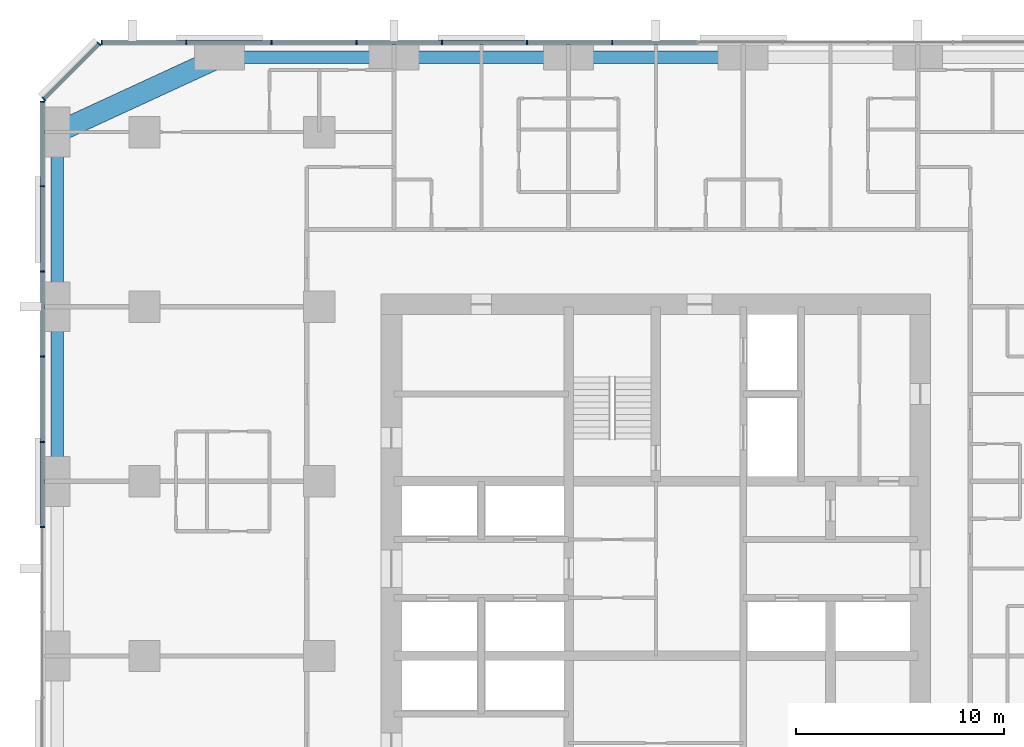
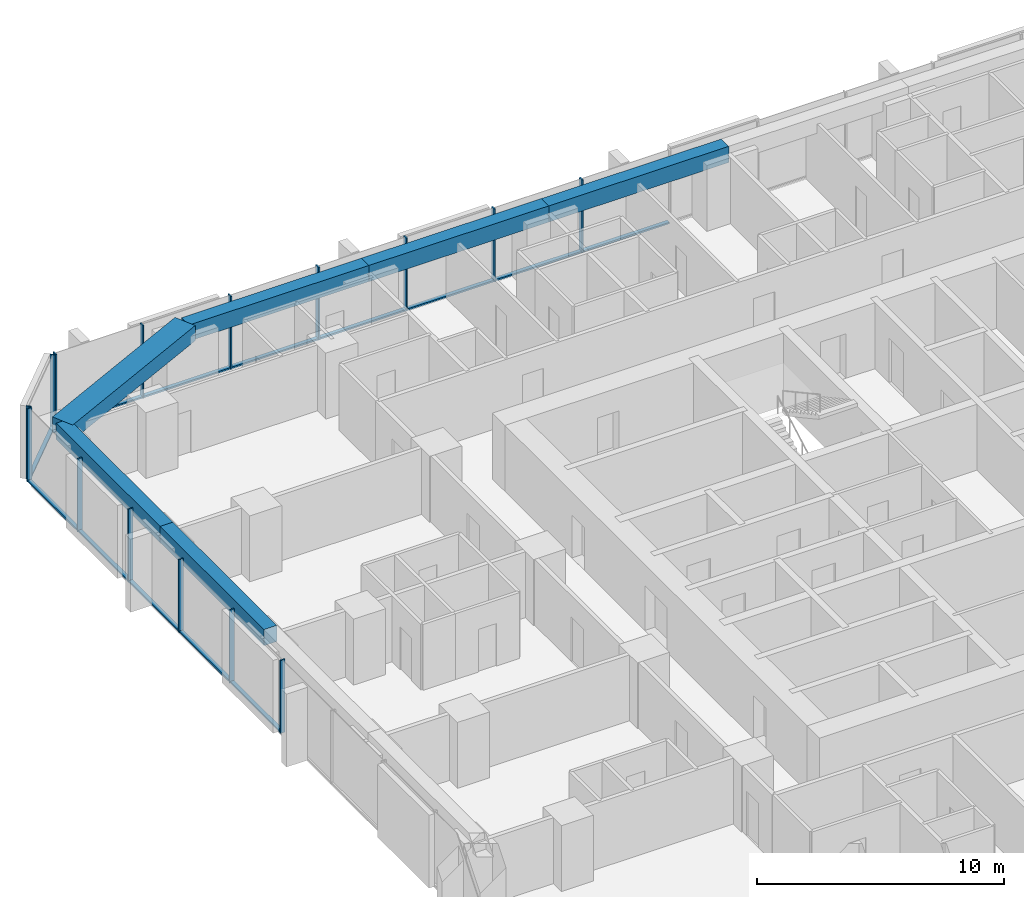
# One storey, part 5 of 14: 28 members, 6 beams, 3 elements without a shape of their own.
"""IFC4 building model written with IfcOpenShell, lengths in metres."""

from ifc_helpers import new_model, si_unit, direction, frame, origin, origin_2d, place, context, subcontext, project, spatial, rectangle, extrude, material, material_profile, profile_set, type_object, element, aggregate, save


model = new_model("IFC4")

# Units and contexts
model_context = context("Model", 3, precision=1e-05, world=origin(), true_north=direction((0.0, 1.0)))
body_context = subcontext(model_context, "Body", "Model", "MODEL_VIEW")
ifc_project = project(units=[si_unit("LENGTHUNIT", "METRE"), si_unit("AREAUNIT", "SQUARE_METRE"), si_unit("VOLUMEUNIT", "CUBIC_METRE"), si_unit("PLANEANGLEUNIT", "RADIAN"), si_unit("MASSUNIT", "GRAM", prefix="KILO")], contexts=[model_context])

# Site, building, storey
site_placement = place(None, origin())
site = spatial("IfcSite", under=ifc_project, at=site_placement, CompositionType="ELEMENT")
building_placement = place(site_placement, origin())
building = spatial("IfcBuilding", under=site, at=building_placement, Name="Dunama Terrace Hotel", CompositionType="ELEMENT")
storey_placement = place(building_placement, frame((0.0, 0.0, 126.0)))
storey = spatial("IfcBuildingStorey", under=building, at=storey_placement, Name="L32", CompositionType="ELEMENT", Elevation=126.0)

# Curtain wall, members
ifc_material_1 = material(Name="Aluminium curtain wall system", Category="aluminium")
curtain_wall_type = type_object("IfcCurtainWallType", Name="Unitised fritted glass wall CW-B", PredefinedType="NOTDEFINED", material=ifc_material_1)
curtain_wall_1_placement = place(storey_placement, origin())
curtain_wall_1 = element("IfcCurtainWall", 1, at=curtain_wall_1_placement, inside=storey, type_object=curtain_wall_type, Name="Unitised fritted glass wall CW-B L32", PredefinedType="NOTDEFINED")
ifc_material_2 = material(Name="Aluminium mullion", Category="aluminium")
ifc_material_profile_1 = material_profile(ifc_material_2, rectangle(XDim=0.06494140625, YDim=0.219970703125, at=origin_2d()), Name="CWB MULLION 65X220")
ifc_profile_set_1 = profile_set([ifc_material_profile_1], Name="Aluminium mullion")
member_type_1 = type_object("IfcMemberType", Name="CWB mullion 65x220", PredefinedType="MULLION", material=ifc_profile_set_1)
member_1_placement = place(storey_placement, frame((27.300048828125, 54.7099609375, 0.0), z_axis=(0.0, 0.0, 1.0), x_axis=(-1.0, 0.0, 0.0)))
member_1 = element("IfcMember", 2, at=member_1_placement, type_object=member_type_1, Name="CWB mullion", PredefinedType="MULLION", context=body_context, shape_type="SweptSolid", body=[
    extrude(rectangle(XDim=0.06494140625, YDim=0.219970703125, at=origin_2d()), origin(), (0.0, 0.0, 1.0), 3.60009765625),
])
member_2_placement = place(storey_placement, frame((23.199951171875, 54.7099609375, 0.0), z_axis=(0.0, 0.0, 1.0), x_axis=(-1.0, 0.0, 0.0)))
member_2 = element("IfcMember", 3, at=member_2_placement, type_object=member_type_1, Name="CWB mullion", PredefinedType="MULLION", context=body_context, shape_type="SweptSolid", body=[
    extrude(rectangle(XDim=0.06494140625, YDim=0.219970703125, at=origin_2d()), origin(), (0.0, 0.0, 1.0), 3.60009765625),
])
member_3_placement = place(storey_placement, frame((19.10009765625, 54.7099609375, 0.0), z_axis=(0.0, 0.0, 1.0), x_axis=(-1.0, 0.0, 0.0)))
member_3 = element("IfcMember", 4, at=member_3_placement, type_object=member_type_1, Name="CWB mullion", PredefinedType="MULLION", context=body_context, shape_type="SweptSolid", body=[
    extrude(rectangle(XDim=0.06494140625, YDim=0.219970703125, at=origin_2d()), origin(), (0.0, 0.0, 1.0), 3.60009765625),
])
member_4_placement = place(storey_placement, frame((15.0, 54.7099609375, 0.0), z_axis=(0.0, 0.0, 1.0), x_axis=(-1.0, 0.0, 0.0)))
member_4 = element("IfcMember", 5, at=member_4_placement, type_object=member_type_1, Name="CWB mullion", PredefinedType="MULLION", context=body_context, shape_type="SweptSolid", body=[
    extrude(rectangle(XDim=0.06494140625, YDim=0.219970703125, at=origin_2d()), origin(), (0.0, 0.0, 1.0), 3.60009765625),
])
member_5_placement = place(storey_placement, frame((10.89990234375, 54.7099609375, 0.0), z_axis=(0.0, 0.0, 1.0), x_axis=(-1.0, 0.0, 0.0)))
member_5 = element("IfcMember", 6, at=member_5_placement, type_object=member_type_1, Name="CWB mullion", PredefinedType="MULLION", context=body_context, shape_type="SweptSolid", body=[
    extrude(rectangle(XDim=0.06494140625, YDim=0.219970703125, at=origin_2d()), origin(), (0.0, 0.0, 1.0), 3.60009765625),
])
member_6_placement = place(storey_placement, frame((6.800048828125, 54.7099609375, 0.0), z_axis=(0.0, 0.0, 1.0), x_axis=(-1.0, 0.0, 0.0)))
member_6 = element("IfcMember", 7, at=member_6_placement, type_object=member_type_1, Name="CWB mullion", PredefinedType="MULLION", context=body_context, shape_type="SweptSolid", body=[
    extrude(rectangle(XDim=0.06494140625, YDim=0.219970703125, at=origin_2d()), origin(), (0.0, 0.0, 1.0), 3.60009765625),
])
member_7_placement = place(storey_placement, frame((2.73291015625, 54.7099609375, 0.0), z_axis=(0.0, 0.0, 1.0), x_axis=(-1.0, 0.0, 0.0)))
member_7 = element("IfcMember", 8, at=member_7_placement, type_object=member_type_1, Name="CWB mullion", PredefinedType="MULLION", context=body_context, shape_type="SweptSolid", body=[
    extrude(rectangle(XDim=0.06494140625, YDim=0.219970703125, at=origin_2d()), origin(), (0.0, 0.0, 1.0), 3.60009765625),
])

curtain_wall_2_placement = place(storey_placement, origin())
curtain_wall_2 = element("IfcCurtainWall", 9, at=curtain_wall_2_placement, inside=storey, type_object=curtain_wall_type, Name="Unitised fritted glass wall CW-B L32", PredefinedType="NOTDEFINED")
member_8_placement = place(storey_placement, frame((2.59912109375, 54.655029296875, 0.0), z_axis=(0.0, 0.0, 1.0), x_axis=(-0.707106781187, -0.707106781187, 0.0)))
member_8 = element("IfcMember", 10, at=member_8_placement, type_object=member_type_1, Name="CWB mullion", PredefinedType="MULLION", context=body_context, shape_type="SweptSolid", body=[
    extrude(rectangle(XDim=0.06494140625, YDim=0.219970703125, at=origin_2d()), origin(), (0.0, 0.0, 1.0), 3.60009765625),
])
member_9_placement = place(storey_placement, frame((-0.054931640625, 52.0009765625, 0.0), z_axis=(0.0, 0.0, 1.0), x_axis=(-0.707106781187, -0.707106781187, 0.0)))
member_9 = element("IfcMember", 11, at=member_9_placement, type_object=member_type_1, Name="CWB mullion", PredefinedType="MULLION", context=body_context, shape_type="SweptSolid", body=[
    extrude(rectangle(XDim=0.06494140625, YDim=0.219970703125, at=origin_2d()), origin(), (0.0, 0.0, 1.0), 3.60009765625),
])

curtain_wall_3_placement = place(storey_placement, origin())
curtain_wall_3 = element("IfcCurtainWall", 12, at=curtain_wall_3_placement, inside=storey, type_object=curtain_wall_type, Name="Unitised fritted glass wall CW-B L32", PredefinedType="NOTDEFINED")
member_10_placement = place(storey_placement, frame((-0.110107421875, 51.866943359375, 0.0), z_axis=(0.0, 0.0, 1.0), x_axis=(0.0, -1.0, 0.0)))
member_10 = element("IfcMember", 13, at=member_10_placement, type_object=member_type_1, Name="CWB mullion", PredefinedType="MULLION", context=body_context, shape_type="SweptSolid", body=[
    extrude(rectangle(XDim=0.06494140625, YDim=0.219970703125, at=origin_2d()), origin(), (0.0, 0.0, 1.0), 3.60009765625),
])
member_11_placement = place(storey_placement, frame((-0.110107421875, 47.800048828125, 0.0), z_axis=(0.0, 0.0, 1.0), x_axis=(0.0, -1.0, 0.0)))
member_11 = element("IfcMember", 14, at=member_11_placement, type_object=member_type_1, Name="CWB mullion", PredefinedType="MULLION", context=body_context, shape_type="SweptSolid", body=[
    extrude(rectangle(XDim=0.06494140625, YDim=0.219970703125, at=origin_2d()), origin(), (0.0, 0.0, 1.0), 3.60009765625),
])
member_12_placement = place(storey_placement, frame((-0.110107421875, 43.699951171875, 0.0), z_axis=(0.0, 0.0, 1.0), x_axis=(0.0, -1.0, 0.0)))
member_12 = element("IfcMember", 15, at=member_12_placement, type_object=member_type_1, Name="CWB mullion", PredefinedType="MULLION", context=body_context, shape_type="SweptSolid", body=[
    extrude(rectangle(XDim=0.06494140625, YDim=0.219970703125, at=origin_2d()), origin(), (0.0, 0.0, 1.0), 3.60009765625),
])
member_13_placement = place(storey_placement, frame((-0.110107421875, 39.60009765625, 0.0), z_axis=(0.0, 0.0, 1.0), x_axis=(0.0, -1.0, 0.0)))
member_13 = element("IfcMember", 16, at=member_13_placement, type_object=member_type_1, Name="CWB mullion", PredefinedType="MULLION", context=body_context, shape_type="SweptSolid", body=[
    extrude(rectangle(XDim=0.06494140625, YDim=0.219970703125, at=origin_2d()), origin(), (0.0, 0.0, 1.0), 3.60009765625),
])
member_14_placement = place(storey_placement, frame((-0.110107421875, 35.5, 0.0), z_axis=(0.0, 0.0, 1.0), x_axis=(0.0, -1.0, 0.0)))
member_14 = element("IfcMember", 17, at=member_14_placement, type_object=member_type_1, Name="CWB mullion", PredefinedType="MULLION", context=body_context, shape_type="SweptSolid", body=[
    extrude(rectangle(XDim=0.06494140625, YDim=0.219970703125, at=origin_2d()), origin(), (0.0, 0.0, 1.0), 3.60009765625),
])
member_15_placement = place(storey_placement, frame((-0.110107421875, 31.39990234375, 0.0), z_axis=(0.0, 0.0, 1.0), x_axis=(0.0, -1.0, 0.0)))
member_15 = element("IfcMember", 18, at=member_15_placement, type_object=member_type_1, Name="CWB mullion", PredefinedType="MULLION", context=body_context, shape_type="SweptSolid", body=[
    extrude(rectangle(XDim=0.06494140625, YDim=0.219970703125, at=origin_2d()), origin(), (0.0, 0.0, 1.0), 3.60009765625),
])

# Member
ifc_material_3 = material(Name="Aluminium transom", Category="aluminium")
ifc_material_profile_2 = material_profile(ifc_material_3, rectangle(XDim=0.179931640625, YDim=0.080078125, at=origin_2d()), Name="CWB TRANSOM 180X80")
ifc_profile_set_2 = profile_set([ifc_material_profile_2], Name="Aluminium transom")
member_type_2 = type_object("IfcMemberType", Name="CWB transom 180x80", PredefinedType="USERDEFINED", material=ifc_profile_set_2)
member_16_placement = place(storey_placement, frame((31.366943359375, 54.7099609375, 0.0400390625), z_axis=(-1.0, 0.0, 0.0), x_axis=(0.0, -1.0, 0.0)))
member_16 = element("IfcMember", 19, at=member_16_placement, type_object=member_type_2, Name="CWB transom", ObjectType="TRANSOM", PredefinedType="USERDEFINED", context=body_context, shape_type="SweptSolid", body=[
    extrude(rectangle(XDim=0.179931640625, YDim=0.080078125, at=origin_2d()), origin(), (0.0, 0.0, 1.0), 4.034912109375),
])

member_17_placement = place(storey_placement, frame((27.26806640625, 54.7099609375, 0.0400390625), z_axis=(-1.0, 0.0, 0.0), x_axis=(0.0, -1.0, 0.0)))
member_17 = element("IfcMember", 20, at=member_17_placement, type_object=member_type_2, Name="CWB transom", ObjectType="TRANSOM", PredefinedType="USERDEFINED", context=body_context, shape_type="SweptSolid", body=[
    extrude(rectangle(XDim=0.179931640625, YDim=0.080078125, at=origin_2d()), origin(), (0.0, 0.0, 1.0), 4.03515625),
])

member_18_placement = place(storey_placement, frame((23.16796875, 54.7099609375, 0.0400390625), z_axis=(-1.0, 0.0, 0.0), x_axis=(0.0, -1.0, 0.0)))
member_18 = element("IfcMember", 21, at=member_18_placement, type_object=member_type_2, Name="CWB transom", ObjectType="TRANSOM", PredefinedType="USERDEFINED", context=body_context, shape_type="SweptSolid", body=[
    extrude(rectangle(XDim=0.179931640625, YDim=0.080078125, at=origin_2d()), origin(), (0.0, 0.0, 1.0), 4.034912109375),
])

member_19_placement = place(storey_placement, frame((19.068115234375, 54.7099609375, 0.0400390625), z_axis=(-1.0, 0.0, 0.0), x_axis=(0.0, -1.0, 0.0)))
member_19 = element("IfcMember", 22, at=member_19_placement, type_object=member_type_2, Name="CWB transom", ObjectType="TRANSOM", PredefinedType="USERDEFINED", context=body_context, shape_type="SweptSolid", body=[
    extrude(rectangle(XDim=0.179931640625, YDim=0.080078125, at=origin_2d()), origin(), (0.0, 0.0, 1.0), 4.0361328125),
])

member_20_placement = place(storey_placement, frame((14.968017578125, 54.7099609375, 0.0400390625), z_axis=(-1.0, 0.0, 0.0), x_axis=(0.0, -1.0, 0.0)))
member_20 = element("IfcMember", 23, at=member_20_placement, type_object=member_type_2, Name="CWB transom", ObjectType="TRANSOM", PredefinedType="USERDEFINED", context=body_context, shape_type="SweptSolid", body=[
    extrude(rectangle(XDim=0.179931640625, YDim=0.080078125, at=origin_2d()), origin(), (0.0, 0.0, 1.0), 4.0361328125),
])

member_21_placement = place(storey_placement, frame((10.866943359375, 54.7099609375, 0.0400390625), z_axis=(-1.0, 0.0, 0.0), x_axis=(0.0, -1.0, 0.0)))
member_21 = element("IfcMember", 24, at=member_21_placement, type_object=member_type_2, Name="CWB transom", ObjectType="TRANSOM", PredefinedType="USERDEFINED", context=body_context, shape_type="SweptSolid", body=[
    extrude(rectangle(XDim=0.179931640625, YDim=0.080078125, at=origin_2d()), origin(), (0.0, 0.0, 1.0), 4.033935546875),
])

member_22_placement = place(storey_placement, frame((6.76806640625, 54.7099609375, 0.0400390625), z_axis=(-1.0, 0.0, 0.0), x_axis=(0.0, -1.0, 0.0)))
member_22 = element("IfcMember", 25, at=member_22_placement, type_object=member_type_2, Name="CWB transom", ObjectType="TRANSOM", PredefinedType="USERDEFINED", context=body_context, shape_type="SweptSolid", body=[
    extrude(rectangle(XDim=0.179931640625, YDim=0.080078125, at=origin_2d()), origin(), (0.0, 0.0, 1.0), 4.003173828125),
])

aggregate(curtain_wall_1, [member_1, member_2, member_3, member_4, member_5, member_6, member_7, member_16, member_17, member_18, member_19, member_20, member_21, member_22])

member_23_placement = place(storey_placement, frame((2.575927734375, 54.632080078125, 0.0400390625), z_axis=(-0.707073683909, -0.707139876915, 0.0), x_axis=(0.707139876915, -0.707073683909, 0.0)))
member_23 = element("IfcMember", 26, at=member_23_placement, type_object=member_type_2, Name="CWB transom", ObjectType="TRANSOM", PredefinedType="USERDEFINED", context=body_context, shape_type="SweptSolid", body=[
    extrude(rectangle(XDim=0.179931640625, YDim=0.080078125, at=origin_2d()), origin(), (0.0, 0.0, 1.0), 3.688232421875),
])

aggregate(curtain_wall_2, [member_8, member_9, member_23])

member_24_placement = place(storey_placement, frame((-0.110107421875, 51.8349609375, 0.0400390625), z_axis=(0.0, -1.0, 0.0), x_axis=(1.0, 0.0, 0.0)))
member_24 = element("IfcMember", 27, at=member_24_placement, type_object=member_type_2, Name="CWB transom", ObjectType="TRANSOM", PredefinedType="USERDEFINED", context=body_context, shape_type="SweptSolid", body=[
    extrude(rectangle(XDim=0.179931640625, YDim=0.080078125, at=origin_2d()), origin(), (0.0, 0.0, 1.0), 4.0029296875),
])

member_25_placement = place(storey_placement, frame((-0.110107421875, 47.76708984375, 0.0400390625), z_axis=(0.0, -1.0, 0.0), x_axis=(1.0, 0.0, 0.0)))
member_25 = element("IfcMember", 28, at=member_25_placement, type_object=member_type_2, Name="CWB transom", ObjectType="TRANSOM", PredefinedType="USERDEFINED", context=body_context, shape_type="SweptSolid", body=[
    extrude(rectangle(XDim=0.179931640625, YDim=0.080078125, at=origin_2d()), origin(), (0.0, 0.0, 1.0), 4.0341796875),
])

member_26_placement = place(storey_placement, frame((-0.110107421875, 43.6669921875, 0.0400390625), z_axis=(0.0, -1.0, 0.0), x_axis=(1.0, 0.0, 0.0)))
member_26 = element("IfcMember", 29, at=member_26_placement, type_object=member_type_2, Name="CWB transom", ObjectType="TRANSOM", PredefinedType="USERDEFINED", context=body_context, shape_type="SweptSolid", body=[
    extrude(rectangle(XDim=0.179931640625, YDim=0.080078125, at=origin_2d()), origin(), (0.0, 0.0, 1.0), 4.033935546875),
])

member_27_placement = place(storey_placement, frame((-0.110107421875, 39.56689453125, 0.0400390625), z_axis=(0.0, -1.0, 0.0), x_axis=(1.0, 0.0, 0.0)))
member_27 = element("IfcMember", 30, at=member_27_placement, type_object=member_type_2, Name="CWB transom", ObjectType="TRANSOM", PredefinedType="USERDEFINED", context=body_context, shape_type="SweptSolid", body=[
    extrude(rectangle(XDim=0.179931640625, YDim=0.080078125, at=origin_2d()), origin(), (0.0, 0.0, 1.0), 4.034912109375),
])

member_28_placement = place(storey_placement, frame((-0.110107421875, 35.468017578125, 0.0400390625), z_axis=(0.0, -1.0, 0.0), x_axis=(1.0, 0.0, 0.0)))
member_28 = element("IfcMember", 31, at=member_28_placement, type_object=member_type_2, Name="CWB transom", ObjectType="TRANSOM", PredefinedType="USERDEFINED", context=body_context, shape_type="SweptSolid", body=[
    extrude(rectangle(XDim=0.179931640625, YDim=0.080078125, at=origin_2d()), origin(), (0.0, 0.0, 1.0), 4.0361328125),
])

aggregate(curtain_wall_3, [member_10, member_11, member_12, member_13, member_14, member_15, member_24, member_25, member_26, member_27, member_28])

# Beams
ifc_material_4 = material(Name="Concrete C50/60", Category="concrete")
ifc_material_profile_3 = material_profile(ifc_material_4, rectangle(XDim=1.0, YDim=0.75, at=origin_2d()), Name="RC 1000x750")
ifc_profile_set_3 = profile_set([ifc_material_profile_3], Name="Concrete C50/60")
beam_type_1 = type_object("IfcBeamType", Name="Edge beam RC 1000x750", PredefinedType="SPANDREL", material=ifc_profile_set_3)
beam_1_placement = place(storey_placement, frame((8.39990234375, 54.0, 3.22509765625), z_axis=(-0.907951066374, -0.419076199598, 0.0), x_axis=(0.419076199598, -0.907951066374, 0.0)))
element("IfcBeam", 32, at=beam_1_placement, inside=storey, type_object=beam_type_1, Name="Corner edge beam under L33", PredefinedType="SPANDREL", context=body_context, shape_type="SweptSolid", body=[
    extrude(rectangle(XDim=1.0, YDim=0.75, at=origin_2d()), origin(), (0.0, 0.0, 1.0), 8.590576171875),
])
ifc_material_5 = material(Name="Concrete C40/50", Category="concrete")
ifc_material_profile_4 = material_profile(ifc_material_5, rectangle(XDim=0.60009765625, YDim=0.800048828125, at=origin_2d()), Name="RC 600x800")
ifc_profile_set_4 = profile_set([ifc_material_profile_4], Name="Concrete C40/50")
beam_type_2 = type_object("IfcBeamType", Name="Edge beam RC 600x800", PredefinedType="SPANDREL", material=ifc_profile_set_4)
for number, where, z_axis, x_axis, name in (
    (33, (0.60009765625, 33.60009765625, 3.199951171875), (0.0, 1.0, 0.0), (-1.0, 0.0, 0.0), "Edge beam under L33"),
    (34, (0.60009765625, 42.0, 3.199951171875), (0.0, 1.0, 0.0), (-1.0, 0.0, 0.0), "Edge beam under L33"),
):
    element("IfcBeam", number, at=place(storey_placement, frame(where, z_axis=z_axis, x_axis=x_axis)), inside=storey, type_object=beam_type_2, Name=name, PredefinedType="SPANDREL", context=body_context, shape_type="SweptSolid", body=[
        extrude(rectangle(XDim=0.60009765625, YDim=0.800048828125, at=origin_2d()), origin(), (0.0, 0.0, 1.0), 8.39990234375),
    ])
beam_2_placement = place(storey_placement, frame((8.39990234375, 54.0, 3.199951171875), z_axis=(1.0, 0.0, 0.0), x_axis=(0.0, 1.0, 0.0)))
element("IfcBeam", 35, at=beam_2_placement, inside=storey, type_object=beam_type_2, Name="Edge beam under L33", PredefinedType="SPANDREL", context=body_context, shape_type="SweptSolid", body=[
    extrude(rectangle(XDim=0.60009765625, YDim=0.800048828125, at=origin_2d()), origin(), (0.0, 0.0, 1.0), 8.400146484375),
])
beam_3_placement = place(storey_placement, frame((16.800048828125, 54.0, 3.199951171875), z_axis=(1.0, 0.0, 0.0), x_axis=(0.0, 1.0, 0.0)))
element("IfcBeam", 36, at=beam_3_placement, inside=storey, type_object=beam_type_2, Name="Edge beam under L33", PredefinedType="SPANDREL", context=body_context, shape_type="SweptSolid", body=[
    extrude(rectangle(XDim=0.60009765625, YDim=0.800048828125, at=origin_2d()), origin(), (0.0, 0.0, 1.0), 8.39990234375),
])
beam_4_placement = place(storey_placement, frame((25.199951171875, 54.0, 3.199951171875), z_axis=(1.0, 0.0, 0.0), x_axis=(0.0, 1.0, 0.0)))
element("IfcBeam", 37, at=beam_4_placement, inside=storey, type_object=beam_type_2, Name="Edge beam under L33", PredefinedType="SPANDREL", context=body_context, shape_type="SweptSolid", body=[
    extrude(rectangle(XDim=0.60009765625, YDim=0.800048828125, at=origin_2d()), origin(), (0.0, 0.0, 1.0), 8.400146484375),
])

save(model, "model.ifc")
